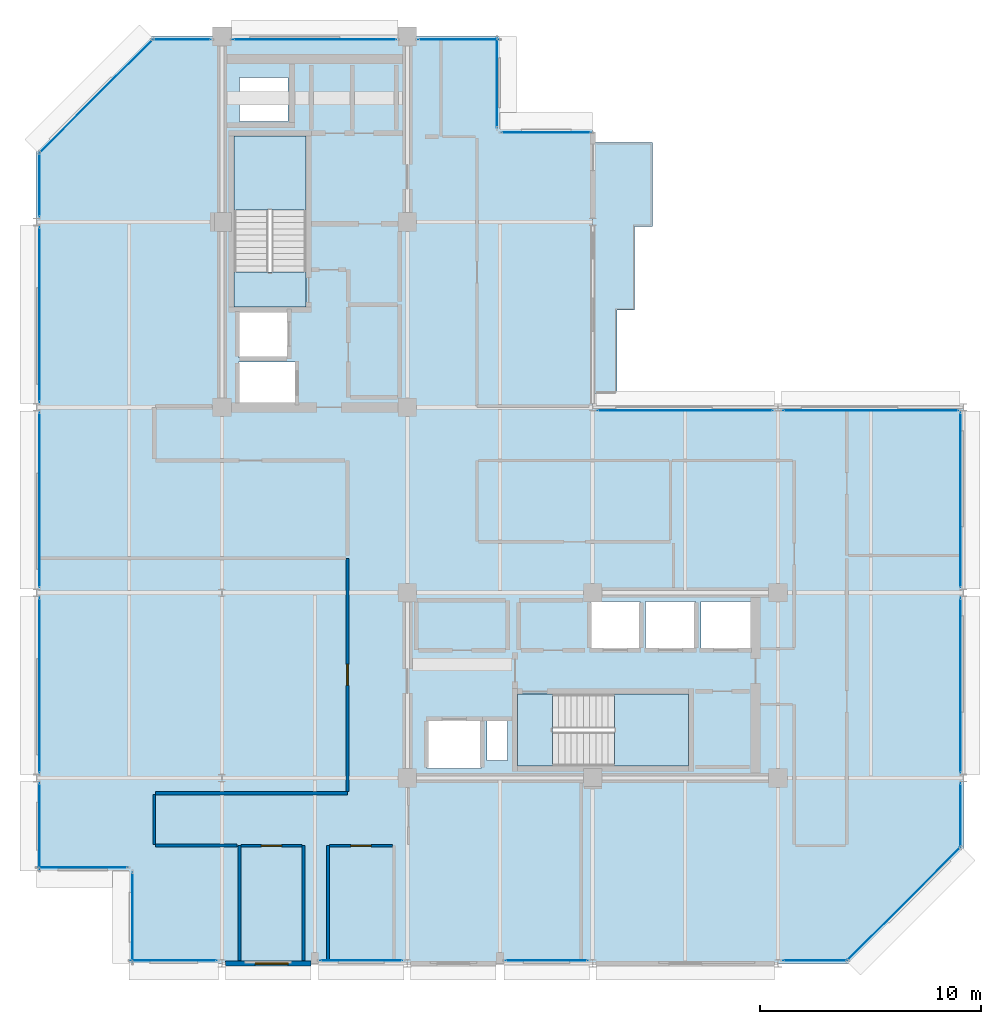
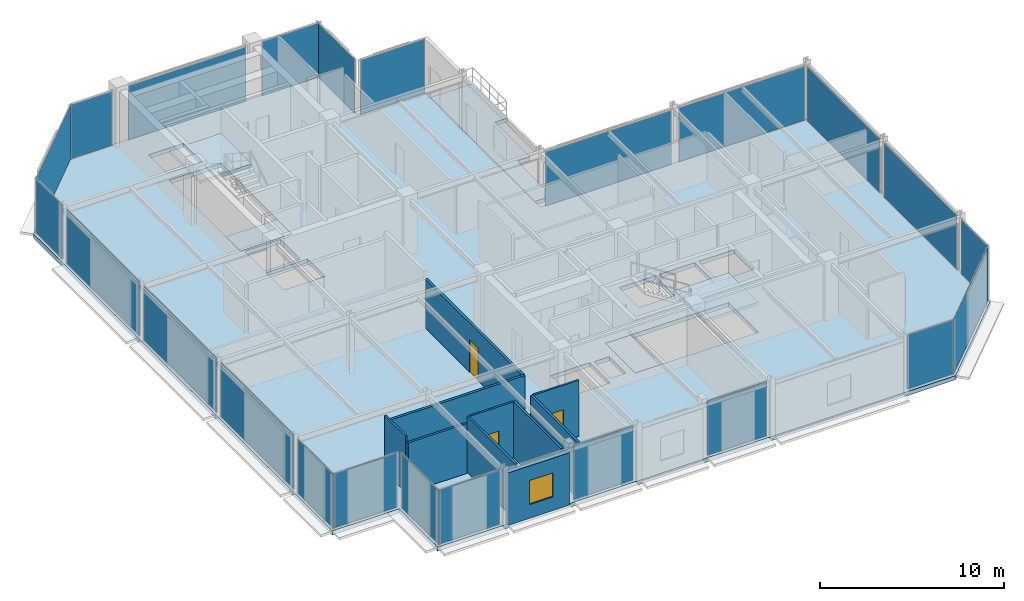
# One storey, part 20 of 27: 23 plates, 10 walls, 6 slabs, 3 doors, 1 window, 4 openings, 25 elements without a shape of their own.
"""IFC4 building model written with IfcOpenShell, lengths in metres."""

from ifc_helpers import new_model, si_unit, direction, frame, frame_2d, origin, origin_2d, place, context, subcontext, project, spatial, polyline, rectangle, outline, extrude, material, layer, layer_set, type_object, element, fill, aggregate, save


model = new_model("IFC4")

# Units and contexts
model_context = context("Model", 3, precision=1e-05, world=origin(), true_north=direction((0.0, 1.0)))
body_context = subcontext(model_context, "Body", "Model", "MODEL_VIEW")
ifc_project = project(units=[si_unit("LENGTHUNIT", "METRE"), si_unit("AREAUNIT", "SQUARE_METRE"), si_unit("VOLUMEUNIT", "CUBIC_METRE"), si_unit("PLANEANGLEUNIT", "RADIAN"), si_unit("MASSUNIT", "GRAM", prefix="KILO")], contexts=[model_context])

# Site, building, storey
site_placement = place(None, origin())
site = spatial("IfcSite", under=ifc_project, at=site_placement, CompositionType="ELEMENT")
building_placement = place(site_placement, origin())
building = spatial("IfcBuilding", under=site, at=building_placement, Name="Nerrivon Quay Data Exchange", CompositionType="ELEMENT")
storey_placement = place(building_placement, frame((0.0, 0.0, 254.199951171875)))
storey = spatial("IfcBuildingStorey", under=building, at=storey_placement, Name="L60", CompositionType="ELEMENT", Elevation=254.199951171875)

# Curtain wall, plate
ifc_material_1 = material(Name="Anodised aluminium 6063-T6", Category="aluminium")
ifc_layer_1 = layer(ifc_material_1, 0.195068359375)
ifc_layer_set_1 = layer_set([ifc_layer_1], Name="Anodised aluminium 6063-T6")
curtain_wall_type = type_object("IfcCurtainWallType", Name="CW-SYS-06", PredefinedType="NOTDEFINED", material=ifc_layer_set_1)
curtain_wall_1_placement = place(storey_placement, origin())
curtain_wall_1 = element("IfcCurtainWall", 1, at=curtain_wall_1_placement, inside=storey, type_object=curtain_wall_type, Name="L60 Unitised Curtain Wall 1", PredefinedType="NOTDEFINED")
ifc_material_2 = material(Name="Double-glazed low-E solar control glass", Category="glass")
ifc_layer_2 = layer(ifc_material_2, 0.028076171875)
ifc_layer_set_2 = layer_set([ifc_layer_2], Name="Double-glazed low-E solar control glass")
plate_type = type_object("IfcPlateType", Name="CWP-GLZ-28", PredefinedType="CURTAIN_PANEL", material=ifc_layer_set_2)
plate_1_placement = place(storey_placement, frame((39.301025390625, 2.698974609375, 0.06494140625), z_axis=(0.0, 0.0, 1.0), x_axis=(-0.707106781187, -0.707106781187, 0.0)))
plate_1 = element("IfcPlate", 2, at=plate_1_placement, type_object=plate_type, Name="CW06 panel 1.1", PredefinedType="CURTAIN_PANEL", context=body_context, shape_type="SweptSolid", body=[
    extrude(rectangle(XDim=7.203857421875, YDim=0.028076171875, at=origin_2d()), origin(), (0.0, 0.0, 1.0), 3.594970703125),
])
aggregate(curtain_wall_1, [plate_1])

curtain_wall_2_placement = place(storey_placement, origin())
curtain_wall_2 = element("IfcCurtainWall", 3, at=curtain_wall_2_placement, inside=storey, type_object=curtain_wall_type, Name="L60 Unitised Curtain Wall 2", PredefinedType="NOTDEFINED")
plate_2_placement = place(storey_placement, frame((35.27783203125, 0.139892578125, 0.06494140625), z_axis=(0.0, 0.0, 1.0), x_axis=(-1.0, 0.0, 0.0)))
plate_2 = element("IfcPlate", 4, at=plate_2_placement, type_object=plate_type, Name="CW06 panel 1.1", PredefinedType="CURTAIN_PANEL", context=body_context, shape_type="SweptSolid", body=[
    extrude(rectangle(XDim=2.89453125, YDim=0.028076171875, at=origin_2d()), origin(), (0.0, 0.0, 1.0), 3.594970703125),
])
aggregate(curtain_wall_2, [plate_2])

curtain_wall_3_placement = place(storey_placement, origin())
curtain_wall_3 = element("IfcCurtainWall", 5, at=curtain_wall_3_placement, inside=storey, type_object=curtain_wall_type, Name="L60 Unitised Curtain Wall 4", PredefinedType="NOTDEFINED")
plate_3_placement = place(storey_placement, frame((23.10986328125, 0.139892578125, 0.06494140625), z_axis=(0.0, 0.0, 1.0), x_axis=(-1.0, 0.0, 0.0)))
plate_3 = element("IfcPlate", 6, at=plate_3_placement, type_object=plate_type, Name="CW06 panel 1.1", PredefinedType="CURTAIN_PANEL", context=body_context, shape_type="SweptSolid", body=[
    extrude(rectangle(XDim=3.719482421875, YDim=0.028076171875, at=origin_2d()), origin(), (0.0, 0.0, 1.0), 3.594970703125),
])
aggregate(curtain_wall_3, [plate_3])

curtain_wall_4_placement = place(storey_placement, origin())
curtain_wall_4 = element("IfcCurtainWall", 7, at=curtain_wall_4_placement, inside=storey, type_object=curtain_wall_type, Name="L60 Unitised Curtain Wall 6", PredefinedType="NOTDEFINED")
plate_4_placement = place(storey_placement, frame((14.709716796875, 0.139892578125, 0.06494140625), z_axis=(0.0, 0.0, 1.0), x_axis=(-1.0, 0.0, 0.0)))
plate_4 = element("IfcPlate", 8, at=plate_4_placement, type_object=plate_type, Name="CW06 panel 1.1", PredefinedType="CURTAIN_PANEL", context=body_context, shape_type="SweptSolid", body=[
    extrude(rectangle(XDim=3.719482421875, YDim=0.028076171875, at=origin_2d()), origin(), (0.0, 0.0, 1.0), 3.594970703125),
])
aggregate(curtain_wall_4, [plate_4])

curtain_wall_5_placement = place(storey_placement, origin())
curtain_wall_5 = element("IfcCurtainWall", 9, at=curtain_wall_5_placement, inside=storey, type_object=curtain_wall_type, Name="L60 Unitised Curtain Wall 8", PredefinedType="NOTDEFINED")
plate_5_placement = place(storey_placement, frame((6.22216796875, 0.139892578125, 0.06494140625), z_axis=(0.0, 0.0, 1.0), x_axis=(-1.0, 0.0, 0.0)))
plate_5 = element("IfcPlate", 10, at=plate_5_placement, type_object=plate_type, Name="CW06 panel 1.1", PredefinedType="CURTAIN_PANEL", context=body_context, shape_type="SweptSolid", body=[
    extrude(rectangle(XDim=3.89453125, YDim=0.028076171875, at=origin_2d()), origin(), (0.0, 0.0, 1.0), 3.594970703125),
])
aggregate(curtain_wall_5, [plate_5])

curtain_wall_6_placement = place(storey_placement, origin())
curtain_wall_6 = element("IfcCurtainWall", 11, at=curtain_wall_6_placement, inside=storey, type_object=curtain_wall_type, Name="L60 Unitised Curtain Wall 9", PredefinedType="NOTDEFINED")
plate_6_placement = place(storey_placement, frame((4.340087890625, 2.10009765625, 0.06494140625), z_axis=(0.0, 0.0, 1.0), x_axis=(0.0, 1.0, 0.0)))
plate_6 = element("IfcPlate", 12, at=plate_6_placement, type_object=plate_type, Name="CW06 panel 1.1", PredefinedType="CURTAIN_PANEL", context=body_context, shape_type="SweptSolid", body=[
    extrude(rectangle(XDim=4.050048828125, YDim=0.028076171875, at=origin_2d()), origin(), (0.0, 0.0, 1.0), 3.594970703125),
])
aggregate(curtain_wall_6, [plate_6])

curtain_wall_7_placement = place(storey_placement, origin())
curtain_wall_7 = element("IfcCurtainWall", 13, at=curtain_wall_7_placement, inside=storey, type_object=curtain_wall_type, Name="L60 Unitised Curtain Wall 10", PredefinedType="NOTDEFINED")
plate_7_placement = place(storey_placement, frame((2.10009765625, 4.340087890625, 0.06494140625), z_axis=(0.0, 0.0, 1.0), x_axis=(-1.0, 0.0, 0.0)))
plate_7 = element("IfcPlate", 14, at=plate_7_placement, type_object=plate_type, Name="CW06 panel 1.1", PredefinedType="CURTAIN_PANEL", context=body_context, shape_type="SweptSolid", body=[
    extrude(rectangle(XDim=4.050048828125, YDim=0.028076171875, at=origin_2d()), origin(), (0.0, 0.0, 1.0), 3.594970703125),
])
aggregate(curtain_wall_7, [plate_7])

curtain_wall_8_placement = place(storey_placement, origin())
curtain_wall_8 = element("IfcCurtainWall", 15, at=curtain_wall_8_placement, inside=storey, type_object=curtain_wall_type, Name="L60 Unitised Curtain Wall 11", PredefinedType="NOTDEFINED")
plate_8_placement = place(storey_placement, frame((0.139892578125, 6.21826171875, 0.06494140625), z_axis=(0.0, 0.0, 1.0), x_axis=(0.0, 1.0, 0.0)))
plate_8 = element("IfcPlate", 16, at=plate_8_placement, type_object=plate_type, Name="CW06 panel 1.1", PredefinedType="CURTAIN_PANEL", context=body_context, shape_type="SweptSolid", body=[
    extrude(rectangle(XDim=3.886474609375, YDim=0.028076171875, at=origin_2d()), origin(), (0.0, 0.0, 1.0), 3.594970703125),
])
aggregate(curtain_wall_8, [plate_8])

curtain_wall_9_placement = place(storey_placement, origin())
curtain_wall_9 = element("IfcCurtainWall", 17, at=curtain_wall_9_placement, inside=storey, type_object=curtain_wall_type, Name="L60 Unitised Curtain Wall 12", PredefinedType="NOTDEFINED")
plate_9_placement = place(storey_placement, frame((0.139892578125, 12.60009765625, 0.06494140625), z_axis=(0.0, 0.0, 1.0), x_axis=(0.0, 1.0, 0.0)))
plate_9 = element("IfcPlate", 18, at=plate_9_placement, type_object=plate_type, Name="CW06 panel 1.1", PredefinedType="CURTAIN_PANEL", context=body_context, shape_type="SweptSolid", body=[
    extrude(rectangle(XDim=7.923095703125, YDim=0.028076171875, at=origin_2d()), origin(), (0.0, 0.0, 1.0), 3.594970703125),
])
aggregate(curtain_wall_9, [plate_9])

curtain_wall_10_placement = place(storey_placement, origin())
curtain_wall_10 = element("IfcCurtainWall", 19, at=curtain_wall_10_placement, inside=storey, type_object=curtain_wall_type, Name="L60 Unitised Curtain Wall 13", PredefinedType="NOTDEFINED")
plate_10_placement = place(storey_placement, frame((0.139892578125, 21.0, 0.06494140625), z_axis=(0.0, 0.0, 1.0), x_axis=(0.0, 1.0, 0.0)))
plate_10 = element("IfcPlate", 20, at=plate_10_placement, type_object=plate_type, Name="CW06 panel 1.1", PredefinedType="CURTAIN_PANEL", context=body_context, shape_type="SweptSolid", body=[
    extrude(rectangle(XDim=7.923095703125, YDim=0.028076171875, at=origin_2d()), origin(), (0.0, 0.0, 1.0), 3.594970703125),
])
aggregate(curtain_wall_10, [plate_10])

curtain_wall_11_placement = place(storey_placement, origin())
curtain_wall_11 = element("IfcCurtainWall", 21, at=curtain_wall_11_placement, inside=storey, type_object=curtain_wall_type, Name="L60 Unitised Curtain Wall 14", PredefinedType="NOTDEFINED")
plate_11_placement = place(storey_placement, frame((0.139892578125, 29.39990234375, 0.06494140625), z_axis=(0.0, 0.0, 1.0), x_axis=(0.0, 1.0, 0.0)))
plate_11 = element("IfcPlate", 22, at=plate_11_placement, type_object=plate_type, Name="CW06 panel 1.1", PredefinedType="CURTAIN_PANEL", context=body_context, shape_type="SweptSolid", body=[
    extrude(rectangle(XDim=7.923095703125, YDim=0.028076171875, at=origin_2d()), origin(), (0.0, 0.0, 1.0), 3.594970703125),
])
aggregate(curtain_wall_11, [plate_11])

curtain_wall_12_placement = place(storey_placement, origin())
curtain_wall_12 = element("IfcCurtainWall", 23, at=curtain_wall_12_placement, inside=storey, type_object=curtain_wall_type, Name="L60 Unitised Curtain Wall 15", PredefinedType="NOTDEFINED")
plate_12_placement = place(storey_placement, frame((0.139892578125, 35.28173828125, 0.06494140625), z_axis=(0.0, 0.0, 1.0), x_axis=(0.0, 1.0, 0.0)))
plate_12 = element("IfcPlate", 24, at=plate_12_placement, type_object=plate_type, Name="CW06 panel 1.1", PredefinedType="CURTAIN_PANEL", context=body_context, shape_type="SweptSolid", body=[
    extrude(rectangle(XDim=2.886474609375, YDim=0.028076171875, at=origin_2d()), origin(), (0.0, 0.0, 1.0), 3.594970703125),
])
aggregate(curtain_wall_12, [plate_12])

curtain_wall_13_placement = place(storey_placement, origin())
curtain_wall_13 = element("IfcCurtainWall", 25, at=curtain_wall_13_placement, inside=storey, type_object=curtain_wall_type, Name="L60 Unitised Curtain Wall 16", PredefinedType="NOTDEFINED")
plate_13_placement = place(storey_placement, frame((2.698974609375, 39.301025390625, 0.06494140625), z_axis=(0.0, 0.0, 1.0), x_axis=(0.707106781187, 0.707106781187, 0.0)))
plate_13 = element("IfcPlate", 26, at=plate_13_placement, type_object=plate_type, Name="CW06 panel 1.1", PredefinedType="CURTAIN_PANEL", context=body_context, shape_type="SweptSolid", body=[
    extrude(rectangle(XDim=7.203857421875, YDim=0.028076171875, at=origin_2d()), origin(), (0.0, 0.0, 1.0), 3.594970703125),
])
aggregate(curtain_wall_13, [plate_13])

curtain_wall_14_placement = place(storey_placement, origin())
curtain_wall_14 = element("IfcCurtainWall", 27, at=curtain_wall_14_placement, inside=storey, type_object=curtain_wall_type, Name="L60 Unitised Curtain Wall 17", PredefinedType="NOTDEFINED")
plate_14_placement = place(storey_placement, frame((6.58740234375, 41.860107421875, 0.06494140625), z_axis=(0.0, 0.0, 1.0), x_axis=(1.0, 0.0, 0.0)))
plate_14 = element("IfcPlate", 28, at=plate_14_placement, type_object=plate_type, Name="CW06 panel 1.1", PredefinedType="CURTAIN_PANEL", context=body_context, shape_type="SweptSolid", body=[
    extrude(rectangle(XDim=2.625, YDim=0.028076171875, at=origin_2d()), origin(), (0.0, 0.0, 1.0), 3.594970703125),
])
aggregate(curtain_wall_14, [plate_14])

curtain_wall_15_placement = place(storey_placement, origin())
curtain_wall_15 = element("IfcCurtainWall", 29, at=curtain_wall_15_placement, inside=storey, type_object=curtain_wall_type, Name="L60 Unitised Curtain Wall 18", PredefinedType="NOTDEFINED")
plate_15_placement = place(storey_placement, frame((12.60009765625, 41.860107421875, 0.06494140625), z_axis=(0.0, 0.0, 1.0), x_axis=(1.0, 0.0, 0.0)))
plate_15 = element("IfcPlate", 30, at=plate_15_placement, type_object=plate_type, Name="CW06 panel 1.1", PredefinedType="CURTAIN_PANEL", context=body_context, shape_type="SweptSolid", body=[
    extrude(rectangle(XDim=7.39990234375, YDim=0.028076171875, at=origin_2d()), origin(), (0.0, 0.0, 1.0), 3.594970703125),
])
aggregate(curtain_wall_15, [plate_15])

curtain_wall_16_placement = place(storey_placement, origin())
curtain_wall_16 = element("IfcCurtainWall", 31, at=curtain_wall_16_placement, inside=storey, type_object=curtain_wall_type, Name="L60 Unitised Curtain Wall 19", PredefinedType="NOTDEFINED")
plate_16_placement = place(storey_placement, frame((19.112548828125, 41.860107421875, 0.06494140625), z_axis=(0.0, 0.0, 1.0), x_axis=(1.0, 0.0, 0.0)))
plate_16 = element("IfcPlate", 32, at=plate_16_placement, type_object=plate_type, Name="CW06 panel 1.1", PredefinedType="CURTAIN_PANEL", context=body_context, shape_type="SweptSolid", body=[
    extrude(rectangle(XDim=3.625, YDim=0.028076171875, at=origin_2d()), origin(), (0.0, 0.0, 1.0), 3.594970703125),
])
aggregate(curtain_wall_16, [plate_16])

curtain_wall_17_placement = place(storey_placement, origin())
curtain_wall_17 = element("IfcCurtainWall", 33, at=curtain_wall_17_placement, inside=storey, type_object=curtain_wall_type, Name="L60 Unitised Curtain Wall 20", PredefinedType="NOTDEFINED")
plate_17_placement = place(storey_placement, frame((20.860107421875, 39.89990234375, 0.06494140625), z_axis=(0.0, 0.0, 1.0), x_axis=(0.0, -1.0, 0.0)))
plate_17 = element("IfcPlate", 34, at=plate_17_placement, type_object=plate_type, Name="CW06 panel 1.1", PredefinedType="CURTAIN_PANEL", context=body_context, shape_type="SweptSolid", body=[
    extrude(rectangle(XDim=4.050048828125, YDim=0.028076171875, at=origin_2d()), origin(), (0.0, 0.0, 1.0), 3.594970703125),
])
aggregate(curtain_wall_17, [plate_17])

curtain_wall_18_placement = place(storey_placement, origin())
curtain_wall_18 = element("IfcCurtainWall", 35, at=curtain_wall_18_placement, inside=storey, type_object=curtain_wall_type, Name="L60 Unitised Curtain Wall 21", PredefinedType="NOTDEFINED")
plate_18_placement = place(storey_placement, frame((23.10009765625, 37.659912109375, 0.06494140625), z_axis=(0.0, 0.0, 1.0), x_axis=(1.0, 0.0, 0.0)))
plate_18 = element("IfcPlate", 36, at=plate_18_placement, type_object=plate_type, Name="CW06 panel 1.1", PredefinedType="CURTAIN_PANEL", context=body_context, shape_type="SweptSolid", body=[
    extrude(rectangle(XDim=4.050048828125, YDim=0.028076171875, at=origin_2d()), origin(), (0.0, 0.0, 1.0), 3.594970703125),
])
aggregate(curtain_wall_18, [plate_18])

curtain_wall_19_placement = place(storey_placement, origin())
curtain_wall_19 = element("IfcCurtainWall", 37, at=curtain_wall_19_placement, inside=storey, type_object=curtain_wall_type, Name="L60 Unitised Curtain Wall 24", PredefinedType="NOTDEFINED")
plate_19_placement = place(storey_placement, frame((29.39990234375, 25.06005859375, 0.06494140625), z_axis=(0.0, 0.0, 1.0), x_axis=(1.0, 0.0, 0.0)))
plate_19 = element("IfcPlate", 38, at=plate_19_placement, type_object=plate_type, Name="CW06 panel 1.1", PredefinedType="CURTAIN_PANEL", context=body_context, shape_type="SweptSolid", body=[
    extrude(rectangle(XDim=7.93896484375, YDim=0.028076171875, at=origin_2d()), origin(), (0.0, 0.0, 1.0), 3.594970703125),
])
aggregate(curtain_wall_19, [plate_19])

curtain_wall_20_placement = place(storey_placement, origin())
curtain_wall_20 = element("IfcCurtainWall", 39, at=curtain_wall_20_placement, inside=storey, type_object=curtain_wall_type, Name="L60 Unitised Curtain Wall 25", PredefinedType="NOTDEFINED")
plate_20_placement = place(storey_placement, frame((37.800048828125, 25.06005859375, 0.06494140625), z_axis=(0.0, 0.0, 1.0), x_axis=(1.0, 0.0, 0.0)))
plate_20 = element("IfcPlate", 40, at=plate_20_placement, type_object=plate_type, Name="CW06 panel 1.1", PredefinedType="CURTAIN_PANEL", context=body_context, shape_type="SweptSolid", body=[
    extrude(rectangle(XDim=7.93896484375, YDim=0.028076171875, at=origin_2d()), origin(), (0.0, 0.0, 1.0), 3.594970703125),
])
aggregate(curtain_wall_20, [plate_20])

curtain_wall_21_placement = place(storey_placement, origin())
curtain_wall_21 = element("IfcCurtainWall", 41, at=curtain_wall_21_placement, inside=storey, type_object=curtain_wall_type, Name="L60 Unitised Curtain Wall 26", PredefinedType="NOTDEFINED")
plate_21_placement = place(storey_placement, frame((41.860107421875, 21.0, 0.06494140625), z_axis=(0.0, 0.0, 1.0), x_axis=(0.0, -1.0, 0.0)))
plate_21 = element("IfcPlate", 42, at=plate_21_placement, type_object=plate_type, Name="CW06 panel 1.1", PredefinedType="CURTAIN_PANEL", context=body_context, shape_type="SweptSolid", body=[
    extrude(rectangle(XDim=7.923095703125, YDim=0.028076171875, at=origin_2d()), origin(), (0.0, 0.0, 1.0), 3.594970703125),
])
aggregate(curtain_wall_21, [plate_21])

curtain_wall_22_placement = place(storey_placement, origin())
curtain_wall_22 = element("IfcCurtainWall", 43, at=curtain_wall_22_placement, inside=storey, type_object=curtain_wall_type, Name="L60 Unitised Curtain Wall 27", PredefinedType="NOTDEFINED")
plate_22_placement = place(storey_placement, frame((41.860107421875, 12.60009765625, 0.06494140625), z_axis=(0.0, 0.0, 1.0), x_axis=(0.0, -1.0, 0.0)))
plate_22 = element("IfcPlate", 44, at=plate_22_placement, type_object=plate_type, Name="CW06 panel 1.1", PredefinedType="CURTAIN_PANEL", context=body_context, shape_type="SweptSolid", body=[
    extrude(rectangle(XDim=7.923095703125, YDim=0.028076171875, at=origin_2d()), origin(), (0.0, 0.0, 1.0), 3.594970703125),
])
aggregate(curtain_wall_22, [plate_22])

curtain_wall_23_placement = place(storey_placement, origin())
curtain_wall_23 = element("IfcCurtainWall", 45, at=curtain_wall_23_placement, inside=storey, type_object=curtain_wall_type, Name="L60 Unitised Curtain Wall 28", PredefinedType="NOTDEFINED")
plate_23_placement = place(storey_placement, frame((41.860107421875, 6.71826171875, 0.06494140625), z_axis=(0.0, 0.0, 1.0), x_axis=(0.0, -1.0, 0.0)))
plate_23 = element("IfcPlate", 46, at=plate_23_placement, type_object=plate_type, Name="CW06 panel 1.1", PredefinedType="CURTAIN_PANEL", context=body_context, shape_type="SweptSolid", body=[
    extrude(rectangle(XDim=2.886474609375, YDim=0.028076171875, at=origin_2d()), origin(), (0.0, 0.0, 1.0), 3.594970703125),
])
aggregate(curtain_wall_23, [plate_23])

# Slab
ifc_material_3 = material(Name="Precast white architectural concrete N50 (50 MPa)", Category="concrete")
ifc_layer_3 = layer(ifc_material_3, 0.25)
ifc_layer_set_3 = layer_set([ifc_layer_3], Name="Precast white architectural concrete N50 (50 MPa)")
slab_type_1 = type_object("IfcSlabType", Name="SLB-BAL-250", PredefinedType="FLOOR", material=ifc_layer_set_3)
slab_1_placement = place(storey_placement, frame((0.0, 0.0, -0.25)))
element("IfcSlab", 47, at=slab_1_placement, inside=storey, type_object=slab_type_1, Name="L60 Waterfront Subtropical Verandah", PredefinedType="FLOOR", context=body_context, shape_type="SweptSolid", body=[
    extrude(outline(polyline([(26.300048828125, 29.60009765625), (27.10009765625, 29.60009765625), (27.10009765625, 33.39990234375), (27.89990234375, 33.39990234375), (27.89990234375, 37.199951171875), (25.199951171875, 37.199951171875), (25.199951171875, 33.39990234375), (25.199951171875, 29.60009765625), (25.199951171875, 25.800048828125), (26.300048828125, 25.800048828125), (26.300048828125, 29.60009765625)])), origin(), (0.0, 0.0, 1.0), 0.25),
])

# Stair, slab
ifc_material_4 = material(Name="Concrete N50 (50 MPa)", Category="concrete")
stair_type = type_object("IfcStairType", Name="STAIR-DOG-40", PredefinedType="HALF_TURN_STAIR", material=ifc_material_4)
stair_1_placement = place(storey_placement, origin())
stair_1 = element("IfcStair", 48, at=stair_1_placement, inside=storey, type_object=stair_type, Name="L60 West Core Fire Stair ST01", PredefinedType="HALF_TURN_STAIR")
ifc_layer_4 = layer(ifc_material_4, 0.199951171875)
ifc_layer_set_4 = layer_set([ifc_layer_4], Name="Concrete N50 (50 MPa)")
slab_type_2 = type_object("IfcSlabType", Name="SLB-LAND-200", PredefinedType="LANDING", material=ifc_layer_set_4)
slab_2_placement = place(storey_placement, frame((0.0, 0.0, 1.800048828125)))
slab_2 = element("IfcSlab", 49, at=slab_2_placement, type_object=slab_type_2, Name="ST01 landing 1", PredefinedType="LANDING", context=body_context, shape_type="SweptSolid", body=[
    extrude(outline(polyline([(12.199951171875, 34.1298828125), (12.199951171875, 37.5), (8.949951171875, 37.5), (8.949951171875, 34.1298828125), (12.199951171875, 34.1298828125)])), origin(), (0.0, 0.0, 1.0), 0.199951171875),
])
aggregate(stair_1, [slab_2])

# Slab
slab_3_placement = place(storey_placement, frame((0.0, 0.0, -0.199951171875)))
element("IfcSlab", 50, at=slab_3_placement, inside=storey, type_object=slab_type_2, Name="L60 ST01 floor landing", PredefinedType="LANDING", context=body_context, shape_type="SweptSolid", body=[
    extrude(outline(polyline([(12.199951171875, 29.75), (12.199951171875, 31.330078125), (8.949951171875, 31.330078125), (8.949951171875, 29.75), (12.199951171875, 29.75)])), origin(), (0.0, 0.0, 1.0), 0.199951171875),
])

# Stair, slab
stair_2_placement = place(storey_placement, origin())
stair_2 = element("IfcStair", 51, at=stair_2_placement, inside=storey, type_object=stair_type, Name="L60 East Core Fire Stair ST02", PredefinedType="HALF_TURN_STAIR")
slab_4_placement = place(storey_placement, frame((0.0, 0.0, 1.800048828125)))
slab_4 = element("IfcSlab", 52, at=slab_4_placement, type_object=slab_type_2, Name="ST02 landing 1", PredefinedType="LANDING", context=body_context, shape_type="SweptSolid", body=[
    extrude(outline(polyline([(26.179931640625, 8.949951171875), (29.550048828125, 8.949951171875), (29.550048828125, 12.199951171875), (26.179931640625, 12.199951171875), (26.179931640625, 8.949951171875)])), origin(), (0.0, 0.0, 1.0), 0.199951171875),
])
aggregate(stair_2, [slab_4])

# Slabs
slab_5_placement = place(storey_placement, frame((0.0, 0.0, -0.199951171875)))
element("IfcSlab", 53, at=slab_5_placement, inside=storey, type_object=slab_type_2, Name="L60 ST02 floor landing", PredefinedType="LANDING", context=body_context, shape_type="SweptSolid", body=[
    extrude(outline(polyline([(21.800048828125, 8.949951171875), (23.3798828125, 8.949951171875), (23.3798828125, 12.199951171875), (21.800048828125, 12.199951171875), (21.800048828125, 8.949951171875)])), origin(), (0.0, 0.0, 1.0), 0.199951171875),
])
ifc_layer_5 = layer(ifc_material_4, 0.27490234375)
ifc_layer_set_5 = layer_set([ifc_layer_5], Name="Concrete N50 (50 MPa)")
slab_type_3 = type_object("IfcSlabType", Name="SLB-TOW-275", PredefinedType="FLOOR", material=ifc_layer_set_5)
slab_6_placement = place(storey_placement, frame((0.0, 0.0, -0.27490234375)))
element("IfcSlab", 54, at=slab_6_placement, inside=storey, type_object=slab_type_3, Name="L60 Primary Structural Slab", PredefinedType="FLOOR", context=body_context, shape_type="SweptSolid", body=[
    extrude(outline(polyline([(42.0, 25.199951171875), (25.199951171875, 25.199951171875), (25.199951171875, 37.800048828125), (21.0, 37.800048828125), (21.0, 42.0), (5.199951171875, 42.0), (0.0, 36.800048828125), (0.0, 4.199951171875), (4.199951171875, 4.199951171875), (4.199951171875, 0.0), (36.800048828125, 0.0), (42.0, 5.199951171875), (42.0, 25.199951171875)]), holes=[polyline([(8.949951171875, 29.75), (8.949951171875, 37.5), (12.199951171875, 37.5), (12.199951171875, 29.75), (8.949951171875, 29.75)]), polyline([(21.800048828125, 12.199951171875), (29.550048828125, 12.199951171875), (29.550048828125, 8.949951171875), (21.800048828125, 8.949951171875), (21.800048828125, 12.199951171875)]), polyline([(30.10009765625, 14.25), (30.10009765625, 16.39990234375), (32.35009765625, 16.39990234375), (32.35009765625, 14.25), (30.10009765625, 14.25)]), polyline([(27.60009765625, 14.25), (27.60009765625, 16.39990234375), (29.85009765625, 16.39990234375), (29.85009765625, 14.25), (27.60009765625, 14.25)]), polyline([(25.10009765625, 14.25), (25.10009765625, 16.39990234375), (27.35009765625, 16.39990234375), (27.35009765625, 14.25), (25.10009765625, 14.25)]), polyline([(20.39990234375, 9.199951171875), (20.39990234375, 11.0), (21.35009765625, 11.0), (21.35009765625, 9.199951171875), (20.39990234375, 9.199951171875)]), polyline([(17.699951171875, 8.830078125), (17.699951171875, 11.030029296875), (20.14990234375, 11.030029296875), (20.14990234375, 8.830078125), (17.699951171875, 8.830078125)]), polyline([(9.14990234375, 25.35009765625), (9.14990234375, 27.25), (11.75, 27.25), (11.75, 25.35009765625), (9.14990234375, 25.35009765625)]), polyline([(9.14990234375, 27.449951171875), (9.14990234375, 29.60009765625), (11.39990234375, 29.60009765625), (11.39990234375, 27.449951171875), (9.14990234375, 27.449951171875)]), polyline([(9.199951171875, 38.14990234375), (9.199951171875, 40.14990234375), (11.39990234375, 40.14990234375), (11.39990234375, 38.14990234375), (9.199951171875, 38.14990234375)])]), origin(), (0.0, 0.0, 1.0), 0.27490234375),
])

# Wall, opening, window
ifc_material_5 = material(Name="Architectural terracotta precast concrete N50 (50 MPa)", Category="masonry")
ifc_layer_6 = layer(ifc_material_5, 0.239990234375)
ifc_layer_set_6 = layer_set([ifc_layer_6], Name="Architectural terracotta precast concrete N50 (50 MPa)")
wall_type_1 = type_object("IfcWallType", Name="EW-PREC-240", PredefinedType="STANDARD", material=ifc_layer_set_6)
wall_1_placement = place(storey_placement, frame((12.425048828125, 0.0, 0.0), z_axis=(0.0, 0.0, 1.0), x_axis=(-1.0, 0.0, 0.0)))
wall_1 = element("IfcWall", 55, at=wall_1_placement, inside=storey, type_object=wall_type_1, Name="L60 Podium Precast Spandrel Wall 7", PredefinedType="STANDARD", context=body_context, shape_type="SweptSolid", body=[
    extrude(rectangle(XDim=3.86962890625, YDim=0.239990234375, at=frame_2d((1.934814453125, 0.0))), origin(), (0.0, 0.0, 1.0), 3.47509765625),
])
opening_1_placement = place(wall_1_placement, frame((1.02490234375, 0.0, 0.89990234375)))
opening_1 = element("IfcOpeningElement", 56, at=opening_1_placement, cuts=wall_1, Name="Opening WN4", PredefinedType="OPENING", context=body_context, shape_type="SweptSolid", body=[
    extrude(rectangle(XDim=1.5, YDim=1.60009765625, at=frame_2d((0.75, 0.800048828125))), frame((0.0, 0.1298828125, 0.0), z_axis=(0.0, -1.0, 0.0), x_axis=(1.0, 0.0, 0.0)), (0.0, 0.0, 1.0), 0.260009765625),
])
window_type = type_object("IfcWindowType", Name="WIN-W4-1500x1600", PartitioningType="SINGLE_PANEL", PredefinedType="WINDOW", material=ifc_material_2)
window_placement = place(opening_1_placement, origin())
window = element("IfcWindow", 57, at=window_placement, inside=storey, type_object=window_type, Name="L60 Solar Facade Window 7", OverallHeight=1.60009765625, OverallWidth=1.5, PartitioningType="SINGLE_PANEL", PredefinedType="WINDOW", context=body_context, shape_type="SweptSolid", body=[
    extrude(rectangle(XDim=1.5, YDim=1.60009765625, at=frame_2d((0.75, 0.800048828125))), frame((0.0, 0.030029296875, 0.0), z_axis=(0.0, -1.0, 0.0), x_axis=(1.0, 0.0, 0.0)), (0.0, 0.0, 1.0), 0.06005859375),
])
fill(opening_1, window)

# Wall, opening, door
ifc_material_6 = material(Name="Gypsum plasterboard on cold-formed framing", Category="gypsum")
ifc_layer_7 = layer(ifc_material_6, 0.1201171875)
ifc_layer_set_7 = layer_set([ifc_layer_7], Name="Gypsum plasterboard on cold-formed framing")
wall_type_2 = type_object("IfcWallType", Name="WALL-PT-120", PredefinedType="PARTITIONING", material=ifc_layer_set_7)
wall_2_placement = place(storey_placement, frame((16.12841796875, 5.340087890625, 0.0), z_axis=(0.0, 0.0, 1.0), x_axis=(-1.0, 0.0, 0.0)))
wall_2 = element("IfcWall", 58, at=wall_2_placement, inside=storey, type_object=wall_type_2, Name="L60 Partition Accessible Toilet", PredefinedType="PARTITIONING", context=body_context, shape_type="SweptSolid", body=[
    extrude(rectangle(XDim=2.85693359375, YDim=0.1201171875, at=frame_2d((1.428466796875, 0.0))), origin(), (0.0, 0.0, 1.0), 3.72509765625),
])
opening_2_placement = place(wall_2_placement, frame((0.968505859375, 0.0, 0.0)))
opening_2 = element("IfcOpeningElement", 59, at=opening_2_placement, cuts=wall_2, Name="Opening D-WC", PredefinedType="OPENING", context=body_context, shape_type="SweptSolid", body=[
    extrude(rectangle(XDim=0.919921875, YDim=2.10009765625, at=frame_2d((0.4599609375, 1.050048828125))), frame((0.0, 0.070068359375, 0.0), z_axis=(0.0, -1.0, 0.0), x_axis=(1.0, 0.0, 0.0)), (0.0, 0.0, 1.0), 0.14013671875),
])
ifc_material_7 = material(Name="Engineered hardwood timber", Category="wood")
door_type_1 = type_object("IfcDoorType", Name="DR-WC-920", OperationType="NOTDEFINED", PredefinedType="DOOR", material=ifc_material_7)
door_1_placement = place(opening_2_placement, origin())
door_1 = element("IfcDoor", 60, at=door_1_placement, inside=storey, type_object=door_type_1, Name="L60 Door Accessible Toilet", OperationType="SINGLE_SWING_RIGHT", OverallHeight=2.10009765625, OverallWidth=0.919921875, PredefinedType="DOOR", context=body_context, shape_type="SweptSolid", body=[
    extrude(rectangle(XDim=0.919921875, YDim=2.10009765625, at=frame_2d((0.4599609375, 1.050048828125))), frame((0.0, 0.02490234375, 0.0), z_axis=(0.0, -1.0, 0.0), x_axis=(1.0, 0.0, 0.0)), (0.0, 0.0, 1.0), 0.050048828125),
])
fill(opening_2, door_1)

wall_3_placement = place(storey_placement, frame((12.028564453125, 5.340087890625, 0.0), z_axis=(0.0, 0.0, 1.0), x_axis=(-1.0, 0.0, 0.0)))
wall_3 = element("IfcWall", 61, at=wall_3_placement, inside=storey, type_object=wall_type_2, Name="L60 Partition Public Washrooms", PredefinedType="PARTITIONING", context=body_context, shape_type="SweptSolid", body=[
    extrude(rectangle(XDim=2.757080078125, YDim=0.1201171875, at=frame_2d((1.37841796875, 0.0))), origin(), (0.0, 0.0, 1.0), 3.72509765625),
])
opening_3_placement = place(wall_3_placement, frame((0.91845703125, 0.0, 0.0)))
opening_3 = element("IfcOpeningElement", 62, at=opening_3_placement, cuts=wall_3, Name="Opening D-WC", PredefinedType="OPENING", context=body_context, shape_type="SweptSolid", body=[
    extrude(rectangle(XDim=0.919921875, YDim=2.10009765625, at=frame_2d((0.4599609375, 1.050048828125))), frame((0.0, 0.070068359375, 0.0), z_axis=(0.0, -1.0, 0.0), x_axis=(1.0, 0.0, 0.0)), (0.0, 0.0, 1.0), 0.14013671875),
])
door_2_placement = place(opening_3_placement, origin())
door_2 = element("IfcDoor", 63, at=door_2_placement, inside=storey, type_object=door_type_1, Name="L60 Door Public Washrooms", OperationType="SINGLE_SWING_LEFT", OverallHeight=2.10009765625, OverallWidth=0.919921875, PredefinedType="DOOR", context=body_context, shape_type="SweptSolid", body=[
    extrude(rectangle(XDim=0.919921875, YDim=2.10009765625, at=frame_2d((0.4599609375, 1.050048828125))), frame((0.0, 0.02490234375, 0.0), z_axis=(0.0, -1.0, 0.0), x_axis=(1.0, 0.0, 0.0)), (0.0, 0.0, 1.0), 0.050048828125),
])
fill(opening_3, door_2)

# Walls
wall_4_placement = place(storey_placement, frame((5.340087890625, 5.39990234375, 0.0), z_axis=(0.0, 0.0, 1.0), x_axis=(0.0, 1.0, 0.0)))
element("IfcWall", 64, at=wall_4_placement, inside=storey, type_object=wall_type_2, Name="L60 Partition Technical Library", PredefinedType="PARTITIONING", context=body_context, shape_type="SweptSolid", body=[
    extrude(rectangle(XDim=2.25, YDim=0.1201171875, at=frame_2d((1.125, 0.0))), origin(), (0.0, 0.0, 1.0), 3.72509765625),
])
ifc_layer_8 = layer(ifc_material_6, 0.135009765625)
ifc_layer_set_8 = layer_set([ifc_layer_8], Name="Gypsum plasterboard on cold-formed framing")
wall_type_3 = type_object("IfcWallType", Name="WALL-PT-135", PredefinedType="PARTITIONING", material=ifc_layer_set_8)
wall_5_placement = place(storey_placement, frame((13.199951171875, 5.340087890625, 0.0), z_axis=(0.0, 0.0, 1.0), x_axis=(0.0, -1.0, 0.0)))
element("IfcWall", 65, at=wall_5_placement, inside=storey, type_object=wall_type_3, Name="L60 Partition Accessible Toilet", PredefinedType="PARTITIONING", context=body_context, shape_type="SweptSolid", body=[
    extrude(rectangle(XDim=5.171142578125, YDim=0.135009765625, at=frame_2d((2.58544921875, 0.0))), origin(), (0.0, 0.0, 1.0), 3.72509765625),
])
for number, where, z_axis, x_axis, name in (
    (66, (9.199951171875, 5.340087890625, 0.0), (0.0, 0.0, 1.0), (0.0, -1.0, 0.0), "L60 Partition Public Washrooms"),
    (67, (12.10009765625, 0.1240234375, 0.0), (0.0, 0.0, 1.0), (0.0, 1.0, 0.0), "L60 Partition Public Washrooms"),
):
    element("IfcWall", number, at=place(storey_placement, frame(where, z_axis=z_axis, x_axis=x_axis)), inside=storey, type_object=wall_type_3, Name=name, PredefinedType="PARTITIONING", context=body_context, shape_type="SweptSolid", body=[
        extrude(rectangle(XDim=5.216064453125, YDim=0.135009765625, at=frame_2d((2.60791015625, 0.0))), origin(), (0.0, 0.0, 1.0), 3.72509765625),
    ])
wall_6_placement = place(storey_placement, frame((9.080078125, 5.340087890625, 0.0), z_axis=(0.0, 0.0, 1.0), x_axis=(-1.0, 0.0, 0.0)))
element("IfcWall", 68, at=wall_6_placement, inside=storey, type_object=wall_type_3, Name="L60 Partition Technical Library", PredefinedType="PARTITIONING", context=body_context, shape_type="SweptSolid", body=[
    extrude(rectangle(XDim=3.68017578125, YDim=0.135009765625, at=frame_2d((1.840087890625, 0.0))), origin(), (0.0, 0.0, 1.0), 3.319091796875),
])
ifc_layer_9 = layer(ifc_material_6, 0.14990234375)
ifc_layer_set_9 = layer_set([ifc_layer_9], Name="Gypsum plasterboard on cold-formed framing")
wall_type_4 = type_object("IfcWallType", Name="WALL-PT-150", PredefinedType="PARTITIONING", material=ifc_layer_set_9)
wall_7_placement = place(storey_placement, frame((5.39990234375, 7.7099609375, 0.0), z_axis=(0.0, 0.0, 1.0), x_axis=(1.0, 0.0, 0.0)))
element("IfcWall", 69, at=wall_7_placement, inside=storey, type_object=wall_type_4, Name="L60 Partition Technical Library", PredefinedType="PARTITIONING", context=body_context, shape_type="SweptSolid", body=[
    extrude(rectangle(XDim=8.690185546875, YDim=0.14990234375, at=frame_2d((4.34521484375, 0.0))), origin(), (0.0, 0.0, 1.0), 3.319091796875),
])

# Wall, opening, door
wall_8_placement = place(storey_placement, frame((14.090087890625, 7.7890625, 0.0), z_axis=(0.0, 0.0, 1.0), x_axis=(0.0, 1.0, 0.0)))
wall_8 = element("IfcWall", 70, at=wall_8_placement, inside=storey, type_object=wall_type_4, Name="L60 Partition Technical Library", PredefinedType="PARTITIONING", context=body_context, shape_type="SweptSolid", body=[
    extrude(rectangle(XDim=10.565673828125, YDim=0.14990234375, at=frame_2d((5.28271484375, 0.0))), origin(), (0.0, 0.0, 1.0), 3.27099609375),
])
opening_4_placement = place(wall_8_placement, frame((4.807861328125, 0.0, 0.0)))
opening_4 = element("IfcOpeningElement", 71, at=opening_4_placement, cuts=wall_8, Name="Opening D-01", PredefinedType="OPENING", context=body_context, shape_type="SweptSolid", body=[
    extrude(rectangle(XDim=0.949951171875, YDim=2.14990234375, at=frame_2d((0.47509765625, 1.074951171875))), frame((0.0, 0.0849609375, 0.0), z_axis=(0.0, -1.0, 0.0), x_axis=(1.0, 0.0, 0.0)), (0.0, 0.0, 1.0), 0.169921875),
])
door_type_2 = type_object("IfcDoorType", Name="DR-INT-950", OperationType="NOTDEFINED", PredefinedType="DOOR", material=ifc_material_7)
door_3_placement = place(opening_4_placement, origin())
door_3 = element("IfcDoor", 72, at=door_3_placement, inside=storey, type_object=door_type_2, Name="L60 Door Technical Library", OperationType="SINGLE_SWING_RIGHT", OverallHeight=2.14990234375, OverallWidth=0.949951171875, PredefinedType="DOOR", context=body_context, shape_type="SweptSolid", body=[
    extrude(rectangle(XDim=0.949951171875, YDim=2.14990234375, at=frame_2d((0.47509765625, 1.074951171875))), frame((0.0, 0.02490234375, 0.0), z_axis=(0.0, -1.0, 0.0), x_axis=(1.0, 0.0, 0.0)), (0.0, 0.0, 1.0), 0.050048828125),
])
fill(opening_4, door_3)

save(model, "model.ifc")
